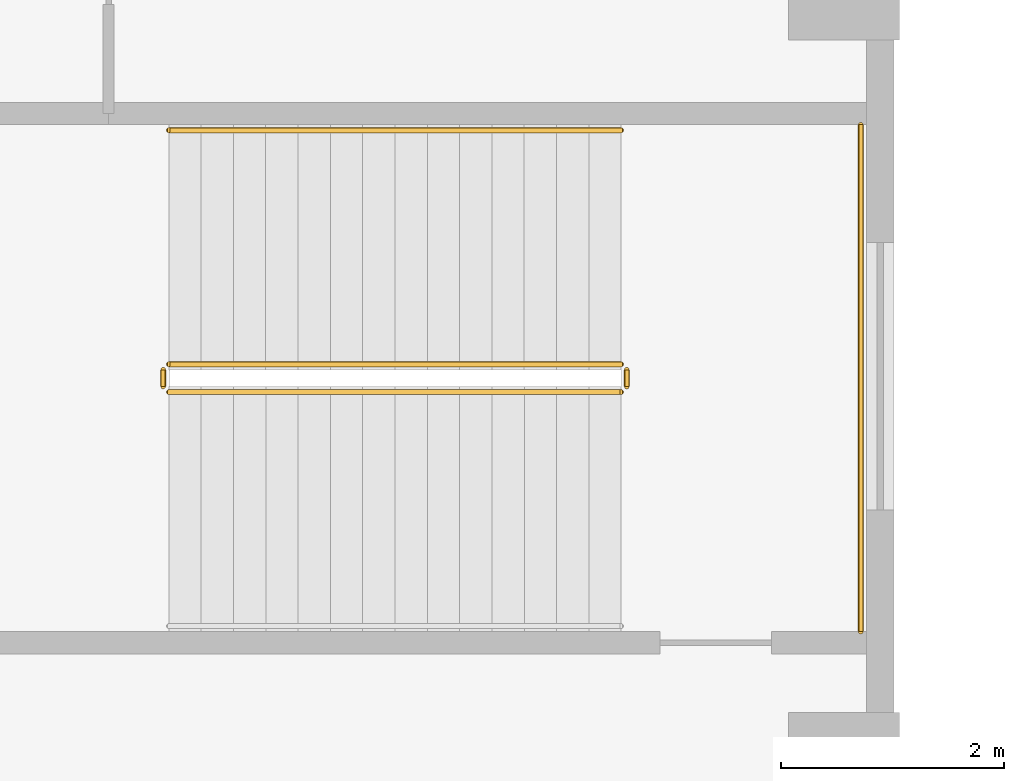
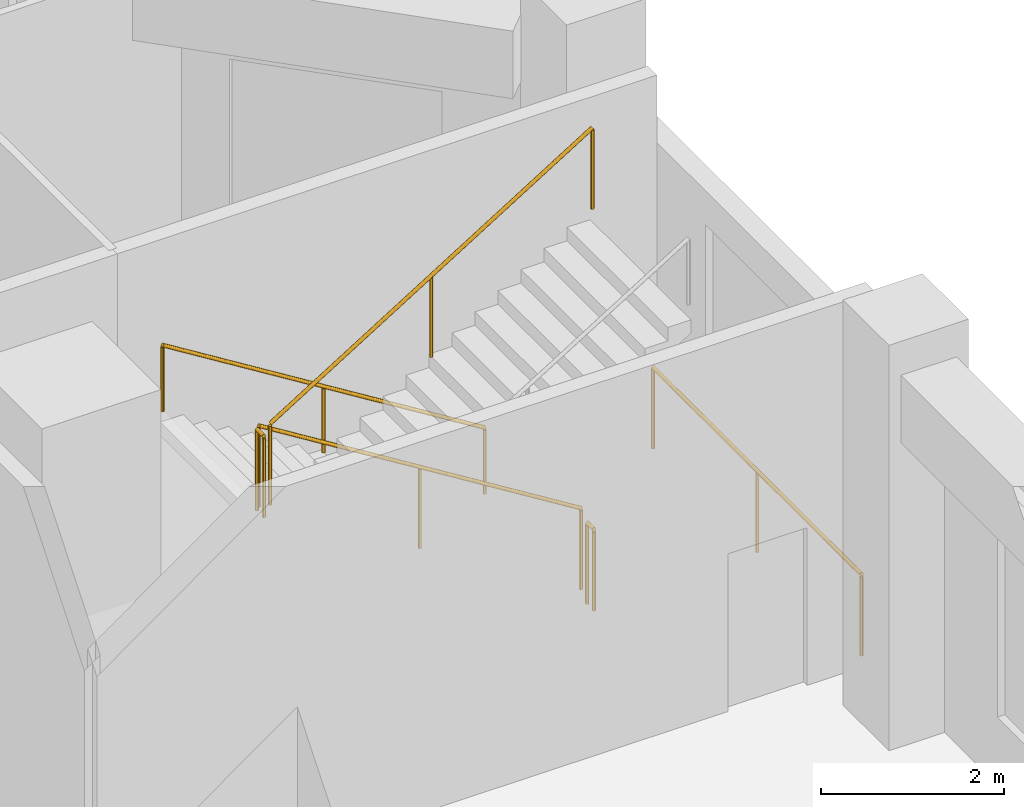
# One storey, part 22 of 23: 6 railings.
"""IFC4 building model written with IfcOpenShell, lengths in metres."""

import ifcopenshell
import ifcopenshell.guid

model = None  # the IFC model being written
_history = None  # IfcOwnerHistory: only IFC2X3 demands one
_inside = {}  # id of a spatial element -> (the spatial element, [elements in it])
_under = {}  # id of a project, library or spatial element -> (it, [spatial elements below it])
_declared = {}  # id of a project -> (the project, [libraries it declares])
_typed = {}  # id of a type object -> (the type object, [elements of that type])
_made_of = {}  # id of a material, layer set ... -> (it, [elements and type objects made of it])


def new_model(schema):
    """Start an empty IFC model of exactly this schema.

    Asked for "IFC4X3", IfcOpenShell would pick the latest addendum, in which some entities
    have other attributes; the version numbers below select the first issue.
    IFC2X3 requires an IfcOwnerHistory on every rooted entity: one is made here for all.
    """
    global model, _history
    if schema == "IFC4X3":
        model = ifcopenshell.file(schema_version=(4, 3, 0, 0))
    else:
        model = ifcopenshell.file(schema=schema)
    _inside.clear()
    _under.clear()
    _declared.clear()
    _typed.clear()
    _made_of.clear()
    _history = None
    if model.schema == "IFC2X3":
        org = make("IfcOrganization", Name="unknown")
        user = make(
            "IfcPersonAndOrganization",
            ThePerson=make("IfcPerson", FamilyName="unknown"),
            TheOrganization=org,
        )
        app = make(
            "IfcApplication",
            ApplicationDeveloper=org,
            Version="unknown",
            ApplicationFullName="unknown",
            ApplicationIdentifier="unknown",
        )
        _history = make(
            "IfcOwnerHistory",
            OwningUser=user,
            OwningApplication=app,
            ChangeAction="ADDED",
            CreationDate=0,
        )
    return model


def make(cls, **values):
    """One entity of the class cls with the attributes given. An attribute that is None is left unset."""
    return model.create_entity(
        cls, **{name: value for name, value in values.items() if value is not None}
    )


def rooted(cls, **values):
    """An entity with a GlobalId (a new one), such as an element, a storey or a relation."""
    return make(cls, GlobalId=ifcopenshell.guid.new(), OwnerHistory=_history, **values)


def si_unit(unit_type, name, prefix=None):
    """IfcSIUnit, for example si_unit("LENGTHUNIT", "METRE", prefix="MILLI")."""
    return make("IfcSIUnit", UnitType=unit_type, Prefix=prefix, Name=name)


def assignment(units):
    """IfcUnitAssignment: the units of a project."""
    return None if units is None else make("IfcUnitAssignment", Units=units)


def point(xyz):
    """IfcCartesianPoint."""
    return None if xyz is None else make("IfcCartesianPoint", Coordinates=xyz)


def direction(xyz):
    """IfcDirection."""
    return None if xyz is None else make("IfcDirection", DirectionRatios=xyz)


def frame(location, z_axis=None, x_axis=None):
    """IfcAxis2Placement3D, a coordinate frame: its origin and axes. An axis left out is left unset."""
    return make(
        "IfcAxis2Placement3D",
        Location=point(location),
        Axis=direction(z_axis),
        RefDirection=direction(x_axis),
    )


def frame_2d(location, x_axis=None):
    """IfcAxis2Placement2D, a coordinate frame in the plane: its origin and x axis."""
    return make(
        "IfcAxis2Placement2D", Location=point(location), RefDirection=direction(x_axis)
    )


def origin():
    """The frame at (0, 0, 0) with its axes left unset."""
    return frame((0.0, 0.0, 0.0))


def origin_2d():
    """The frame at (0, 0) in the plane with its x axis left unset."""
    return frame_2d((0.0, 0.0))


def place(relative_to, where):
    """IfcLocalPlacement: puts the frame where relative to a parent placement (None: the world)."""
    return make(
        "IfcLocalPlacement", PlacementRelTo=relative_to, RelativePlacement=where
    )


def context(
    kind, dimensions, precision=None, world=None, true_north=None, identifier=None
):
    """IfcGeometricRepresentationContext, for example the 3D "Model" context."""
    return make(
        "IfcGeometricRepresentationContext",
        ContextIdentifier=identifier,
        ContextType=kind,
        CoordinateSpaceDimension=dimensions,
        Precision=precision,
        WorldCoordinateSystem=world,
        TrueNorth=true_north,
    )


def subcontext(parent, identifier, kind, view, scale=None):
    """IfcGeometricRepresentationSubContext, for example "Body" below "Model"."""
    return make(
        "IfcGeometricRepresentationSubContext",
        ContextIdentifier=identifier,
        ContextType=kind,
        ParentContext=parent,
        TargetScale=scale,
        TargetView=view,
    )


def project(units=None, contexts=None):
    """IfcProject with its units and contexts."""
    return rooted(
        "IfcProject",
        Name="project",
        RepresentationContexts=contexts,
        UnitsInContext=assignment(units),
    )


def spatial(cls, under=None, at=None, **own):
    """A site, building, storey or space (cls), placed at a placement, below another one or the project."""
    s = rooted(cls, ObjectPlacement=at, **own)
    if under is not None:
        _under.setdefault(under.id(), (under, []))[1].append(s)
    return s


def profile(cls, at=None, kind="AREA", **sizes):
    """A parametric profile (cls). Its sizes go by their IFC names, for example OverallWidth=200.0."""
    return make(cls, ProfileType=kind, Position=at, **sizes)


def circle(**sizes):
    """IfcCircleProfileDef."""
    return profile("IfcCircleProfileDef", **sizes)


def extrude(swept, where, along, depth):
    """IfcExtrudedAreaSolid: the profile swept, set in the frame where, extruded along a direction by depth."""
    return make(
        "IfcExtrudedAreaSolid",
        SweptArea=swept,
        Position=where,
        ExtrudedDirection=direction(along),
        Depth=depth,
    )


def shape(context_of_items, identifier, shape_type, items):
    """IfcShapeRepresentation: the items that make up one representation, for example the "Body"."""
    return make(
        "IfcShapeRepresentation",
        ContextOfItems=context_of_items,
        RepresentationIdentifier=identifier,
        RepresentationType=shape_type,
        Items=items,
    )


def material(Name=None, Category=None):
    """IfcMaterial."""
    return make("IfcMaterial", Name=Name, Category=Category)


def made_of(thing, what):
    """Note that an element or type object is made of a material, layer set ...; save() writes the relation."""
    if what is not None:
        _made_of.setdefault(what.id(), (what, []))[1].append(thing)
    return thing


def type_object(cls, material=None, **own):
    """A type object (cls), such as IfcWallType, which elements share."""
    return made_of(rooted(cls, **own), material)


def element(
    cls,
    number,
    at=None,
    inside=None,
    cuts=None,
    type_object=None,
    material=None,
    context=None,
    identifier="Body",
    shape_type=None,
    held_by="IfcProductDefinitionShape",
    body=None,
    shapes=None,
    **own,
):
    """One element of the class cls, such as IfcWall. Its Tag is "e" and its number.

    at: its placement. inside: the storey or other place that contains it. cuts: it is an
    opening in that element (IfcRelVoidsElement). A single representation is given by context,
    identifier, shape_type and body (its items); several are given by shapes. held_by: the class
    of the entity that holds the representations. save() writes the other relations.
    """
    e = rooted(cls, Tag="e%d" % number, ObjectPlacement=at, **own)
    if body is not None:
        shapes = [shape(context, identifier, shape_type, body)]
    if shapes is not None:
        e.Representation = make(held_by, Representations=shapes)
    if inside is not None:
        _inside.setdefault(inside.id(), (inside, []))[1].append(e)
    if cuts is not None:
        rooted(
            "IfcRelVoidsElement", RelatingBuildingElement=cuts, RelatedOpeningElement=e
        )
    if type_object is not None:
        _typed.setdefault(type_object.id(), (type_object, []))[1].append(e)
    return made_of(e, material)


def aggregate(whole, parts):
    """IfcRelAggregates: a whole, such as a stair, and the parts it consists of."""
    return rooted("IfcRelAggregates", RelatingObject=whole, RelatedObjects=parts)


def save(model, path):
    """Write the relations noted so far, then the file.

    IfcRelAggregates (storeys below a building ...), IfcRelContainedInSpatialStructure (elements
    in a storey), IfcRelDefinesByType, IfcRelAssociatesMaterial and IfcRelDeclares: one each for
    every whole, place, type object, material and project.
    """
    for whole, parts in _under.values():
        aggregate(whole, parts)
    for where, things in _inside.values():
        rooted(
            "IfcRelContainedInSpatialStructure",
            RelatedElements=things,
            RelatingStructure=where,
        )
    for kind, things in _typed.values():
        rooted("IfcRelDefinesByType", RelatedObjects=things, RelatingType=kind)
    for what, things in _made_of.values():
        rooted("IfcRelAssociatesMaterial", RelatedObjects=things, RelatingMaterial=what)
    for by, libraries in _declared.values():
        rooted("IfcRelDeclares", RelatingContext=by, RelatedDefinitions=libraries)
    model.write(path)


model = new_model("IFC4")

# Units and contexts
model_context = context("Model", 3, precision=1e-05, world=origin(), true_north=direction((0.0, 1.0)))
body_context = subcontext(model_context, "Body", "Model", "MODEL_VIEW")
ifc_project = project(units=[si_unit("LENGTHUNIT", "METRE"), si_unit("AREAUNIT", "SQUARE_METRE"), si_unit("VOLUMEUNIT", "CUBIC_METRE"), si_unit("PLANEANGLEUNIT", "RADIAN"), si_unit("MASSUNIT", "GRAM", prefix="KILO")], contexts=[model_context])

# Site, building, storey
site_placement = place(None, origin())
site = spatial("IfcSite", under=ifc_project, at=site_placement, CompositionType="ELEMENT")
building_placement = place(site_placement, origin())
building = spatial("IfcBuilding", under=site, at=building_placement, Name="Meshkara Civic Tower", CompositionType="ELEMENT")
storey_placement = place(building_placement, frame((0.0, 0.0, 7.199951171875)))
storey = spatial("IfcBuildingStorey", under=building, at=storey_placement, Name="L01", CompositionType="ELEMENT", Elevation=7.199951171875)

# Railings
ifc_material_1 = material(Name="Steel guard", Category="steel")
railing_type_1 = type_object("IfcRailingType", Name="Podium stair guard 1100", PredefinedType="GUARDRAIL", material=ifc_material_1)
railing_1_placement = place(storey_placement, frame((39.89990234375, 36.425048828125, 0.179931640625)))
element("IfcRailing", 1, at=railing_1_placement, inside=storey, type_object=railing_type_1, Name="L01 PS6 stair guard 1", PredefinedType="GUARDRAIL", context=body_context, shape_type="SweptSolid", body=[
    extrude(circle(Radius=0.02392578125, at=origin_2d()), frame((0.0, 0.0, 1.076171875), z_axis=(-0.849627535208, 0.0, 0.527383211162), x_axis=(0.0, -1.0, 0.0)), (0.0, 0.0, 1.0), 4.7783203125),
    extrude(circle(Radius=0.02099609375, at=origin_2d()), origin(), (0.0, 0.0, 1.0), 1.052001953125),
    extrude(circle(Radius=0.02099609375, at=origin_2d()), frame((-2.02978515625, 0.0, 1.260009765625)), (0.0, 0.0, 1.0), 1.052001953125),
    extrude(circle(Radius=0.02099609375, at=origin_2d()), frame((-4.059814453125, 0.0, 2.52001953125)), (0.0, 0.0, 1.0), 1.052001953125),
])
railing_2_placement = place(storey_placement, frame((35.7900390625, 36.375, 2.699951171875)))
element("IfcRailing", 2, at=railing_2_placement, inside=storey, type_object=railing_type_1, Name="L01 PS6 stair guard 2", PredefinedType="GUARDRAIL", context=body_context, shape_type="SweptSolid", body=[
    extrude(circle(Radius=0.02392578125, at=origin_2d()), frame((0.0, 0.0, 1.076171875), z_axis=(0.0, -1.0, 0.0), x_axis=(1.0, 0.0, 0.0)), (0.0, 0.0, 1.0), 0.14990234375),
    extrude(circle(Radius=0.02099609375, at=origin_2d()), origin(), (0.0, 0.0, 1.0), 1.052001953125),
    extrude(circle(Radius=0.02099609375, at=origin_2d()), frame((0.0, -0.14990234375, 0.0)), (0.0, 0.0, 1.0), 1.052001953125),
])
railing_3_placement = place(storey_placement, frame((35.840087890625, 36.175048828125, 2.880126953125)))
element("IfcRailing", 3, at=railing_3_placement, inside=storey, type_object=railing_type_1, Name="L01 PS6 stair guard 3", PredefinedType="GUARDRAIL", context=body_context, shape_type="SweptSolid", body=[
    extrude(circle(Radius=0.02392578125, at=origin_2d()), frame((0.0, 0.0, 1.076171875), z_axis=(0.849627535208, 0.0, 0.527383211162), x_axis=(0.0, 1.0, 0.0)), (0.0, 0.0, 1.0), 4.7783203125),
    extrude(circle(Radius=0.02099609375, at=origin_2d()), origin(), (0.0, 0.0, 1.0), 1.052001953125),
    extrude(circle(Radius=0.02099609375, at=origin_2d()), frame((2.02978515625, 0.0, 1.260009765625)), (0.0, 0.0, 1.0), 1.052001953125),
    extrude(circle(Radius=0.02099609375, at=origin_2d()), frame((4.059814453125, 0.0, 2.52001953125)), (0.0, 0.0, 1.0), 1.052001953125),
])
railing_4_placement = place(storey_placement, frame((39.949951171875, 36.375, 0.0)))
element("IfcRailing", 4, at=railing_4_placement, inside=storey, type_object=railing_type_1, Name="L01 PS6 stair guard 4", PredefinedType="GUARDRAIL", context=body_context, shape_type="SweptSolid", body=[
    extrude(circle(Radius=0.02392578125, at=origin_2d()), frame((0.0, 0.0, 1.076171875), z_axis=(0.0, -1.0, 0.0), x_axis=(1.0, 0.0, 0.0)), (0.0, 0.0, 1.0), 0.14990234375),
    extrude(circle(Radius=0.02099609375, at=origin_2d()), origin(), (0.0, 0.0, 1.0), 1.052001953125),
    extrude(circle(Radius=0.02099609375, at=origin_2d()), frame((0.0, -0.14990234375, 0.0)), (0.0, 0.0, 1.0), 1.052001953125),
])
railing_5_placement = place(storey_placement, frame((42.050048828125, 38.574951171875, 0.0)))
element("IfcRailing", 5, at=railing_5_placement, inside=storey, type_object=railing_type_1, Name="L01 PS6 stair guard 5", PredefinedType="GUARDRAIL", context=body_context, shape_type="SweptSolid", body=[
    extrude(circle(Radius=0.02392578125, at=origin_2d()), frame((0.0, 0.0, 1.076171875), z_axis=(0.0, -1.0, 0.0), x_axis=(1.0, 0.0, 0.0)), (0.0, 0.0, 1.0), 4.550048828125),
    extrude(circle(Radius=0.02099609375, at=origin_2d()), origin(), (0.0, 0.0, 1.0), 1.052001953125),
    extrude(circle(Radius=0.02099609375, at=origin_2d()), frame((0.0, -2.27490234375, 0.0)), (0.0, 0.0, 1.0), 1.052001953125),
    extrude(circle(Radius=0.02099609375, at=origin_2d()), frame((0.0, -4.550048828125, 0.0)), (0.0, 0.0, 1.0), 1.052001953125),
])
ifc_material_2 = material(Name="Steel handrail", Category="steel")
railing_type_2 = type_object("IfcRailingType", Name="Podium stair handrail 900", PredefinedType="HANDRAIL", material=ifc_material_2)
railing_6_placement = place(storey_placement, frame((39.89990234375, 38.52490234375, 0.179931640625)))
element("IfcRailing", 6, at=railing_6_placement, inside=storey, type_object=railing_type_2, Name="L01 PS6 stair handrail 1", PredefinedType="HANDRAIL", context=body_context, shape_type="SweptSolid", body=[
    extrude(circle(Radius=0.02392578125, at=origin_2d()), frame((0.0, 0.0, 0.8759765625), z_axis=(-0.849627535208, 0.0, 0.527383211162), x_axis=(0.0, -1.0, 0.0)), (0.0, 0.0, 1.0), 4.7783203125),
    extrude(circle(Radius=0.02099609375, at=origin_2d()), origin(), (0.0, 0.0, 1.0), 0.851806640625),
    extrude(circle(Radius=0.02099609375, at=origin_2d()), frame((-2.02978515625, 0.0, 1.260009765625)), (0.0, 0.0, 1.0), 0.851806640625),
    extrude(circle(Radius=0.02099609375, at=origin_2d()), frame((-4.059814453125, 0.0, 2.52001953125)), (0.0, 0.0, 1.0), 0.851806640625),
])

save(model, "model.ifc")
